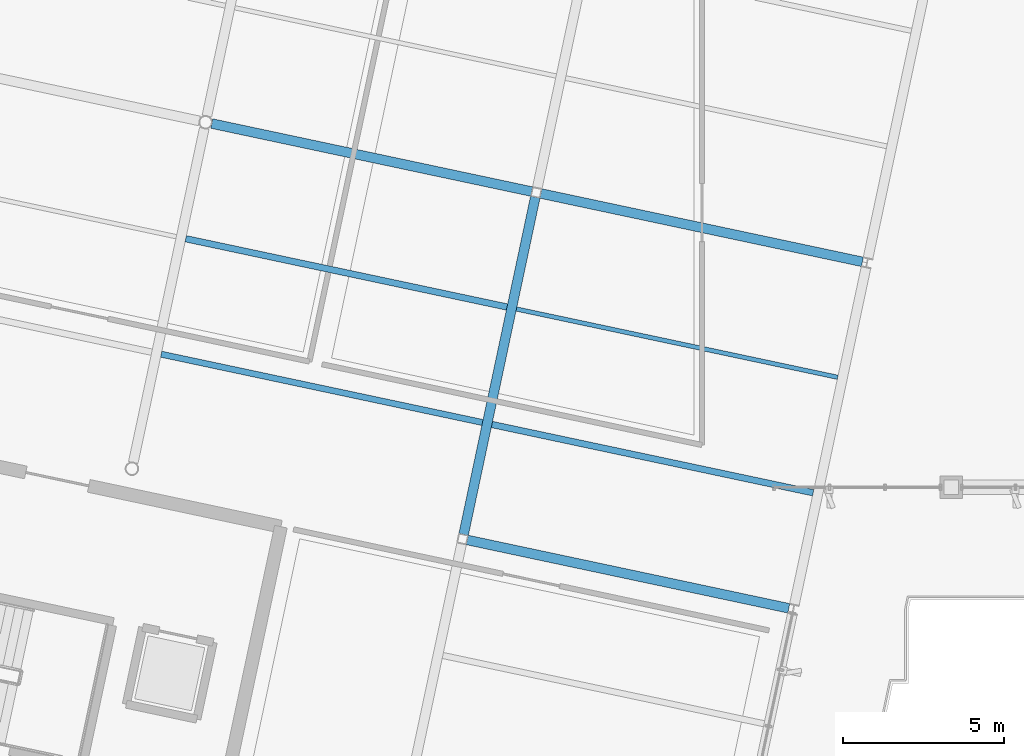
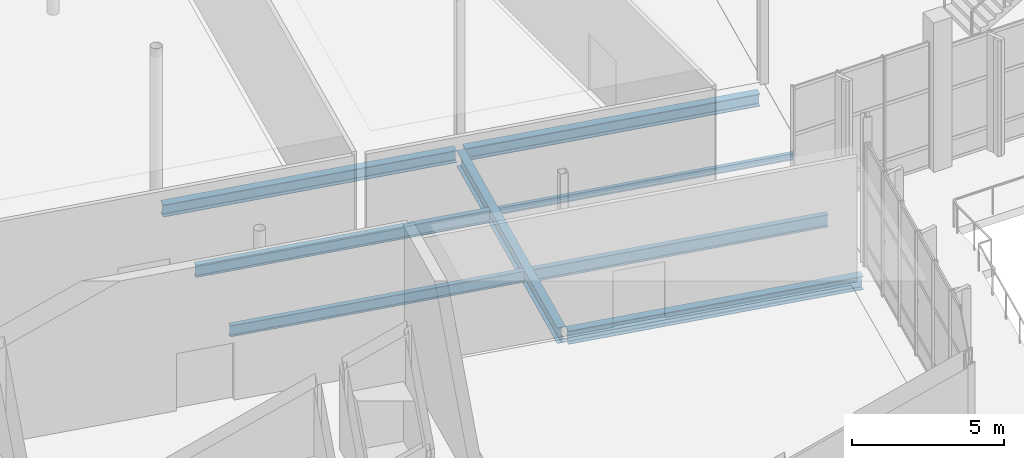
# One storey, part 42 of 163: 8 beams.
"""IFC4 building model written with IfcOpenShell, lengths in metres."""

from ifc_helpers import new_model, si_unit, direction, frame, origin, origin_2d, place, context, subcontext, project, spatial, i_section, extrude, material, material_profile, profile_set, type_object, element, save


model = new_model("IFC4")

# Units and contexts
model_context = context("Model", 3, precision=1e-05, world=origin(), true_north=direction((0.0, 1.0)))
body_context = subcontext(model_context, "Body", "Model", "MODEL_VIEW")
ifc_project = project(units=[si_unit("LENGTHUNIT", "METRE"), si_unit("AREAUNIT", "SQUARE_METRE"), si_unit("VOLUMEUNIT", "CUBIC_METRE"), si_unit("PLANEANGLEUNIT", "RADIAN"), si_unit("MASSUNIT", "GRAM", prefix="KILO")], contexts=[model_context])

# Site, building, storey
site_placement = place(None, origin())
site = spatial("IfcSite", under=ifc_project, at=site_placement, CompositionType="ELEMENT")
building_placement = place(site_placement, origin())
building = spatial("IfcBuilding", under=site, at=building_placement, Name="Khorjan Park Terminus", CompositionType="ELEMENT")
storey_placement = place(building_placement, origin())
storey = spatial("IfcBuildingStorey", under=building, at=storey_placement, Name="L00", CompositionType="ELEMENT", Elevation=0.0)

# Beams
ifc_material = material(Name="Steel S355", Category="steel")
ifc_material_profile_1 = material_profile(ifc_material, i_section(OverallWidth=0.3, OverallDepth=0.49, WebThickness=0.012, FlangeThickness=0.023, FilletRadius=0.027, at=origin_2d()), Name="HEA 500")
ifc_profile_set_1 = profile_set([ifc_material_profile_1], Name="Steel S355")
beam_type_1 = type_object("IfcBeamType", Name="BM-HEA500", PredefinedType="BEAM", material=ifc_profile_set_1)
beam_1_placement = place(storey_placement, frame((9.0385, 61.295, -0.605), z_axis=(0.978145737137, -0.207920458156, 0.0), x_axis=(0.207920458156, 0.978145737137, 0.0)))
element("IfcBeam", 1, at=beam_1_placement, inside=storey, type_object=beam_type_1, Name="Primary skew-grid floor girder SB-A50 (L00)", PredefinedType="BEAM", context=body_context, shape_type="SweptSolid", body=[
    extrude(i_section(OverallWidth=0.3, OverallDepth=0.49, WebThickness=0.012, FlangeThickness=0.023, FilletRadius=0.027, at=origin_2d()), origin(), (0.0, 0.0, 1.0), 10.1568),
])
ifc_material_profile_2 = material_profile(ifc_material, i_section(OverallWidth=0.3, OverallDepth=0.54, WebThickness=0.0125, FlangeThickness=0.024, FilletRadius=0.027, at=origin_2d()), Name="HEA 550")
ifc_profile_set_2 = profile_set([ifc_material_profile_2], Name="Steel S355")
beam_type_2 = type_object("IfcBeamType", Name="BM-HEA550", PredefinedType="BEAM", material=ifc_profile_set_2)
beam_2_placement = place(storey_placement, frame((16.97, 48.3633, -0.63), z_axis=(0.978148793254, -0.20790608037, 0.0), x_axis=(0.20790608037, 0.978148793254, 0.0)))
element("IfcBeam", 2, at=beam_2_placement, inside=storey, type_object=beam_type_2, Name="Primary skew-grid floor girder SB-A55 (L00)", PredefinedType="BEAM", context=body_context, shape_type="SweptSolid", body=[
    extrude(i_section(OverallWidth=0.3, OverallDepth=0.54, WebThickness=0.0125, FlangeThickness=0.024, FilletRadius=0.027, at=origin_2d()), origin(), (0.0, 0.0, 1.0), 10.2099),
])
ifc_material_profile_3 = material_profile(ifc_material, i_section(OverallWidth=0.3, OverallDepth=0.64, WebThickness=0.0135, FlangeThickness=0.026, FilletRadius=0.027, at=origin_2d()), Name="HEA 650")
ifc_profile_set_3 = profile_set([ifc_material_profile_3], Name="Steel S355")
beam_type_3 = type_object("IfcBeamType", Name="BM-HEA650", PredefinedType="BEAM", material=ifc_profile_set_3)
beam_3_placement = place(storey_placement, frame((16.8583, 48.5353, -0.68), z_axis=(0.207907890532, 0.978148408502, 0.0), x_axis=(-0.978148408502, 0.207907890532, 0.0)))
element("IfcBeam", 3, at=beam_3_placement, inside=storey, type_object=beam_type_3, Name="Primary skew-grid floor girder SB-A65 (L00)", PredefinedType="BEAM", context=body_context, shape_type="SweptSolid", body=[
    extrude(i_section(OverallWidth=0.3, OverallDepth=0.64, WebThickness=0.0135, FlangeThickness=0.026, FilletRadius=0.027, at=origin_2d()), origin(), (0.0, 0.0, 1.0), 10.71),
])
ifc_material_profile_4 = material_profile(ifc_material, i_section(OverallWidth=0.3, OverallDepth=0.5, WebThickness=0.0145, FlangeThickness=0.028, FilletRadius=0.027, at=origin_2d()), Name="HEB 500")
ifc_profile_set_4 = profile_set([ifc_material_profile_4], Name="Steel S355")
beam_type_4 = type_object("IfcBeamType", Name="BM-HEB500", PredefinedType="BEAM", material=ifc_profile_set_4)
beam_4_placement = place(storey_placement, frame((19.257, 59.123, -0.61), z_axis=(0.978147224785, -0.207913459509, 0.0), x_axis=(0.207913459509, 0.978147224785, 0.0)))
element("IfcBeam", 4, at=beam_4_placement, inside=storey, type_object=beam_type_4, Name="Primary skew-grid floor girder SB-B50 (L00)", PredefinedType="BEAM", context=body_context, shape_type="SweptSolid", body=[
    extrude(i_section(OverallWidth=0.3, OverallDepth=0.5, WebThickness=0.0145, FlangeThickness=0.028, FilletRadius=0.027, at=origin_2d()), origin(), (0.0, 0.0, 1.0), 10.21),
])
ifc_material_profile_5 = material_profile(ifc_material, i_section(OverallWidth=0.135, OverallDepth=0.27, WebThickness=0.0066, FlangeThickness=0.0102, FilletRadius=0.015, at=origin_2d()), Name="IPE 270")
ifc_profile_set_5 = profile_set([ifc_material_profile_5], Name="Steel S355")
beam_type_5 = type_object("IfcBeamType", Name="JS-IPE270", PredefinedType="JOIST", material=ifc_profile_set_5)
beam_5_placement = place(storey_placement, frame((18.4995, 55.5353, -0.495), z_axis=(0.978147562282, -0.207911871719, 0.0), x_axis=(0.207911871719, 0.978147562282, 0.0)))
element("IfcBeam", 5, at=beam_5_placement, inside=storey, type_object=beam_type_5, Name="Secondary composite floor joist SJ-27 (L00)", PredefinedType="JOIST", context=body_context, shape_type="SweptSolid", body=[
    extrude(i_section(OverallWidth=0.135, OverallDepth=0.27, WebThickness=0.0066, FlangeThickness=0.0102, FilletRadius=0.015, at=origin_2d()), origin(), (0.0, 0.0, 1.0), 10.2),
])
ifc_material_profile_6 = material_profile(ifc_material, i_section(OverallWidth=0.19, OverallDepth=0.45, WebThickness=0.0094, FlangeThickness=0.0146, FilletRadius=0.021, at=origin_2d()), Name="IPE 450")
ifc_profile_set_6 = profile_set([ifc_material_profile_6], Name="Steel S355")
beam_type_6 = type_object("IfcBeamType", Name="JS-IPE450", PredefinedType="JOIST", material=ifc_profile_set_6)
beam_6_placement = place(storey_placement, frame((7.4667, 54.1319, -0.585), z_axis=(0.978147562282, -0.207911871719, 0.0), x_axis=(0.207911871719, 0.978147562282, 0.0)))
element("IfcBeam", 6, at=beam_6_placement, inside=storey, type_object=beam_type_6, Name="Secondary composite floor joist SJ-45 (L00)", PredefinedType="JOIST", context=body_context, shape_type="SweptSolid", body=[
    extrude(i_section(OverallWidth=0.19, OverallDepth=0.45, WebThickness=0.0094, FlangeThickness=0.0146, FilletRadius=0.021, at=origin_2d()), origin(), (0.0, 0.0, 1.0), 10.2),
])
ifc_material_profile_7 = material_profile(ifc_material, i_section(OverallWidth=0.2, OverallDepth=0.5, WebThickness=0.0102, FlangeThickness=0.016, FilletRadius=0.021, at=origin_2d()), Name="IPE 500")
ifc_profile_set_7 = profile_set([ifc_material_profile_7], Name="Steel S355")
beam_type_7 = type_object("IfcBeamType", Name="JS-IPE500", PredefinedType="JOIST", material=ifc_profile_set_7)
for number, where, z_axis, x_axis, name in (
    (7, (8.229, 57.7184, -0.61), (0.978147562282, -0.207911871719, 0.0), (0.207911871719, 0.978147562282, 0.0), "Secondary composite floor joist SJ-50 (L00)"),
    (8, (17.7372, 51.9489, -0.61), (0.978147562282, -0.207911871719, 0.0), (0.207911871719, 0.978147562282, 0.0), "Secondary composite floor joist SJ-50 (L00)"),
):
    element("IfcBeam", number, at=place(storey_placement, frame(where, z_axis=z_axis, x_axis=x_axis)), inside=storey, type_object=beam_type_7, Name=name, PredefinedType="JOIST", context=body_context, shape_type="SweptSolid", body=[
        extrude(i_section(OverallWidth=0.2, OverallDepth=0.5, WebThickness=0.0102, FlangeThickness=0.016, FilletRadius=0.021, at=origin_2d()), origin(), (0.0, 0.0, 1.0), 10.2),
    ])

save(model, "model.ifc")
